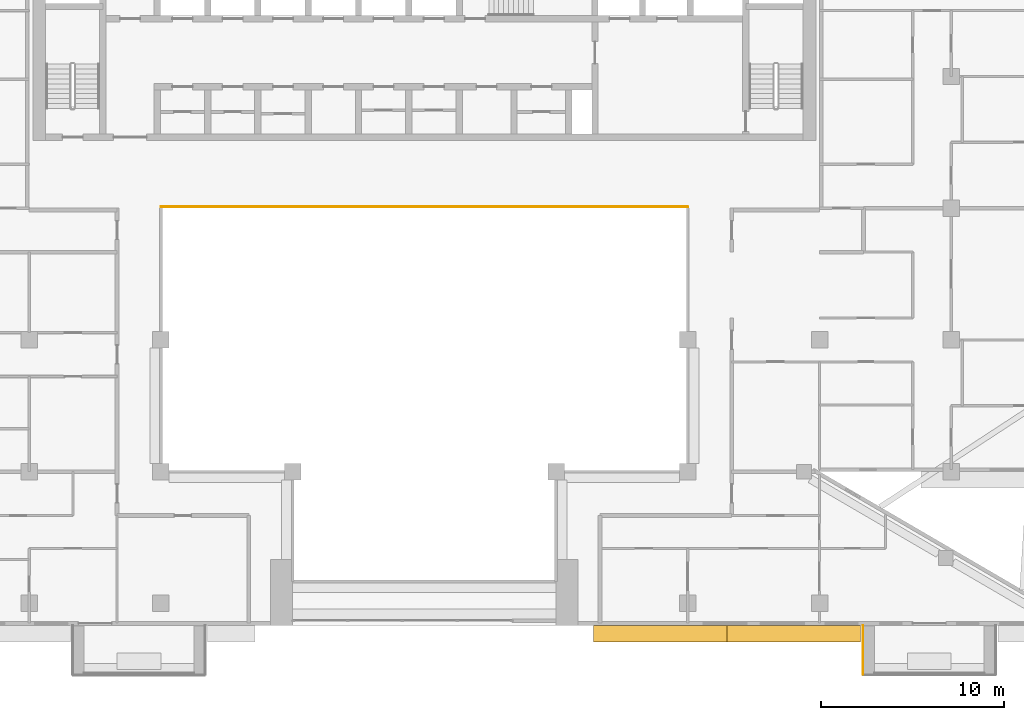
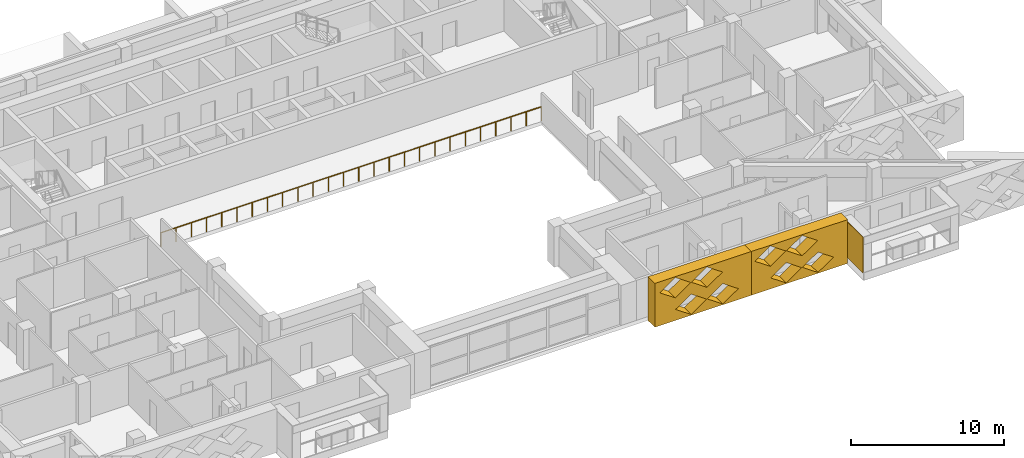
# One storey, part 16 of 20: 3 coverings, 1 railing.
"""IFC4 building model written with IfcOpenShell, lengths in metres."""

from ifc_helpers import new_model, si_unit, direction, frame, origin, origin_2d, place, context, subcontext, project, spatial, polyline, circle, outline, extrude, material, layer, layer_set, type_object, element, save


model = new_model("IFC4")

# Units and contexts
model_context = context("Model", 3, precision=1e-05, world=origin(), true_north=direction((0.0, 1.0)))
body_context = subcontext(model_context, "Body", "Model", "MODEL_VIEW")
ifc_project = project(units=[si_unit("LENGTHUNIT", "METRE"), si_unit("AREAUNIT", "SQUARE_METRE"), si_unit("VOLUMEUNIT", "CUBIC_METRE"), si_unit("PLANEANGLEUNIT", "RADIAN"), si_unit("MASSUNIT", "GRAM", prefix="KILO")], contexts=[model_context])

# Site, building, storey
site_placement = place(None, origin())
site = spatial("IfcSite", under=ifc_project, at=site_placement, CompositionType="ELEMENT")
building_placement = place(site_placement, origin())
building = spatial("IfcBuilding", under=site, at=building_placement, Name="Saffron Iwan Residences", CompositionType="ELEMENT")
storey_placement = place(building_placement, frame((0.0, 0.0, 195.5)))
storey = spatial("IfcBuildingStorey", under=building, at=storey_placement, Name="L52", CompositionType="ELEMENT", Elevation=195.5)

# Railing
ifc_material_1 = material(Name="Stainless steel 316", Category="steel")
railing_type = type_object("IfcRailingType", Name="Atrium guard 1150", PredefinedType="GUARDRAIL", material=ifc_material_1)
railing_placement = place(storey_placement, frame((36.0, 62.47509765625, 0.0)))
element("IfcRailing", 1, at=railing_placement, inside=storey, type_object=railing_type, Name="Atrium guard L52", PredefinedType="GUARDRAIL", context=body_context, shape_type="SweptSolid", body=[
    extrude(circle(Radius=0.02392578125, at=origin_2d()), frame((0.0, 0.0, 1.1259765625), z_axis=(1.0, 0.0, 0.0), x_axis=(0.0, 1.0, 0.0)), (0.0, 0.0, 1.0), 28.800048828125),
    extrude(circle(Radius=0.02099609375, at=origin_2d()), origin(), (0.0, 0.0, 1.0), 1.101806640625),
    extrude(circle(Radius=0.02099609375, at=origin_2d()), frame((1.152099609375, 0.0, 0.0)), (0.0, 0.0, 1.0), 1.101806640625),
    extrude(circle(Radius=0.02099609375, at=origin_2d()), frame((2.303955078125, 0.0, 0.0)), (0.0, 0.0, 1.0), 1.101806640625),
    extrude(circle(Radius=0.02099609375, at=origin_2d()), frame((3.4560546875, 0.0, 0.0)), (0.0, 0.0, 1.0), 1.101806640625),
    extrude(circle(Radius=0.02099609375, at=origin_2d()), frame((4.60791015625, 0.0, 0.0)), (0.0, 0.0, 1.0), 1.101806640625),
    extrude(circle(Radius=0.02099609375, at=origin_2d()), frame((5.760009765625, 0.0, 0.0)), (0.0, 0.0, 1.0), 1.101806640625),
    extrude(circle(Radius=0.02099609375, at=origin_2d()), frame((6.912109375, 0.0, 0.0)), (0.0, 0.0, 1.0), 1.101806640625),
    extrude(circle(Radius=0.02099609375, at=origin_2d()), frame((8.06396484375, 0.0, 0.0)), (0.0, 0.0, 1.0), 1.101806640625),
    extrude(circle(Radius=0.02099609375, at=origin_2d()), frame((9.216064453125, 0.0, 0.0)), (0.0, 0.0, 1.0), 1.101806640625),
    extrude(circle(Radius=0.02099609375, at=origin_2d()), frame((10.367919921875, 0.0, 0.0)), (0.0, 0.0, 1.0), 1.101806640625),
    extrude(circle(Radius=0.02099609375, at=origin_2d()), frame((11.52001953125, 0.0, 0.0)), (0.0, 0.0, 1.0), 1.101806640625),
    extrude(circle(Radius=0.02099609375, at=origin_2d()), frame((12.672119140625, 0.0, 0.0)), (0.0, 0.0, 1.0), 1.101806640625),
    extrude(circle(Radius=0.02099609375, at=origin_2d()), frame((13.823974609375, 0.0, 0.0)), (0.0, 0.0, 1.0), 1.101806640625),
    extrude(circle(Radius=0.02099609375, at=origin_2d()), frame((14.97607421875, 0.0, 0.0)), (0.0, 0.0, 1.0), 1.101806640625),
    extrude(circle(Radius=0.02099609375, at=origin_2d()), frame((16.1279296875, 0.0, 0.0)), (0.0, 0.0, 1.0), 1.101806640625),
    extrude(circle(Radius=0.02099609375, at=origin_2d()), frame((17.280029296875, 0.0, 0.0)), (0.0, 0.0, 1.0), 1.101806640625),
    extrude(circle(Radius=0.02099609375, at=origin_2d()), frame((18.43212890625, 0.0, 0.0)), (0.0, 0.0, 1.0), 1.101806640625),
    extrude(circle(Radius=0.02099609375, at=origin_2d()), frame((19.583984375, 0.0, 0.0)), (0.0, 0.0, 1.0), 1.101806640625),
    extrude(circle(Radius=0.02099609375, at=origin_2d()), frame((20.736083984375, 0.0, 0.0)), (0.0, 0.0, 1.0), 1.101806640625),
    extrude(circle(Radius=0.02099609375, at=origin_2d()), frame((21.887939453125, 0.0, 0.0)), (0.0, 0.0, 1.0), 1.101806640625),
    extrude(circle(Radius=0.02099609375, at=origin_2d()), frame((23.0400390625, 0.0, 0.0)), (0.0, 0.0, 1.0), 1.101806640625),
    extrude(circle(Radius=0.02099609375, at=origin_2d()), frame((24.192138671875, 0.0, 0.0)), (0.0, 0.0, 1.0), 1.101806640625),
    extrude(circle(Radius=0.02099609375, at=origin_2d()), frame((25.343994140625, 0.0, 0.0)), (0.0, 0.0, 1.0), 1.101806640625),
    extrude(circle(Radius=0.02099609375, at=origin_2d()), frame((26.49609375, 0.0, 0.0)), (0.0, 0.0, 1.0), 1.101806640625),
    extrude(circle(Radius=0.02099609375, at=origin_2d()), frame((27.64794921875, 0.0, 0.0)), (0.0, 0.0, 1.0), 1.101806640625),
    extrude(circle(Radius=0.02099609375, at=origin_2d()), frame((28.800048828125, 0.0, 0.0)), (0.0, 0.0, 1.0), 1.101806640625),
])

# Coverings
ifc_material_2 = material(Name="Precast concrete C40/50 white painted", Category="concrete")
ifc_layer = layer(ifc_material_2, 0.050048828125)
ifc_layer_set = layer_set([ifc_layer], Name="Precast concrete C40/50 white painted")
covering_type_1 = type_object("IfcCoveringType", Name="FRAME SKIN PRECAST WHITE 50", PredefinedType="CLADDING", material=ifc_layer_set)
covering_1_placement = place(storey_placement, origin())
element("IfcCovering", 2, at=covering_1_placement, inside=storey, type_object=covering_type_1, Name="Frame skin fin L52 11-2a", PredefinedType="CLADDING", context=body_context, shape_type="SweptSolid", body=[
    extrude(outline(polyline([(74.35009765625, 36.89990234375), (74.39990234375, 36.89990234375), (74.39990234375, 39.60009765625), (74.35009765625, 39.60009765625), (74.35009765625, 36.89990234375)])), origin(), (0.0, 0.0, 1.0), 2.85009765625),
])
ifc_material_3 = material(Name="Precast concrete C40/50", Category="concrete")
covering_type_2 = type_object("IfcCoveringType", Name="OUTER SKIN LATTICE SCREEN", PredefinedType="CLADDING", material=ifc_material_3)
covering_2_placement = place(storey_placement, frame((59.64990234375, 39.60009765625, -0.300048828125), z_axis=(0.0, -1.0, 0.0), x_axis=(1.0, 0.0, 0.0)))
element("IfcCovering", 3, at=covering_2_placement, inside=storey, type_object=covering_type_2, Name="OUTER SKIN lattice screen L52 F11.2", PredefinedType="CLADDING", context=body_context, shape_type="SweptSolid", body=[
    extrude(outline(polyline([(0.0, 0.0), (7.300048828125, 0.0), (7.300048828125, 3.5), (0.0, 3.5), (0.0, 0.0)]), holes=[polyline([(1.570068359375, 0.875), (2.75, 0.06005859375), (3.929931640625, 0.875), (2.75, 1.68994140625), (1.570068359375, 0.875)]), polyline([(3.969970703125, 0.875), (5.14990234375, 0.06005859375), (6.330078125, 0.875), (5.14990234375, 1.68994140625), (3.969970703125, 0.875)]), polyline([(0.3701171875, 2.625), (1.550048828125, 1.81005859375), (2.72998046875, 2.625), (1.550048828125, 3.43994140625), (0.3701171875, 2.625)]), polyline([(2.77001953125, 2.625), (3.949951171875, 1.81005859375), (5.1298828125, 2.625), (3.949951171875, 3.43994140625), (2.77001953125, 2.625)])]), origin(), (0.0, 0.0, 1.0), 0.900146484375),
])
covering_3_placement = place(storey_placement, frame((66.949951171875, 39.60009765625, -0.300048828125), z_axis=(0.0, -1.0, 0.0), x_axis=(1.0, 0.0, 0.0)))
element("IfcCovering", 4, at=covering_3_placement, inside=storey, type_object=covering_type_2, Name="OUTER SKIN lattice screen L52 F11.3", PredefinedType="CLADDING", context=body_context, shape_type="SweptSolid", body=[
    extrude(outline(polyline([(0.0, 0.0), (7.300048828125, 0.0), (7.300048828125, 3.5), (0.0, 3.5), (0.0, 0.0)]), holes=[polyline([(1.469970703125, 0.875), (2.64990234375, 0.06005859375), (3.830078125, 0.875), (2.64990234375, 1.68994140625), (1.469970703125, 0.875)]), polyline([(3.8701171875, 0.875), (5.050048828125, 0.06005859375), (6.22998046875, 0.875), (5.050048828125, 1.68994140625), (3.8701171875, 0.875)]), polyline([(0.27001953125, 2.625), (1.449951171875, 1.81005859375), (2.6298828125, 2.625), (1.449951171875, 3.43994140625), (0.27001953125, 2.625)]), polyline([(2.669921875, 2.625), (3.85009765625, 1.81005859375), (5.030029296875, 2.625), (3.85009765625, 3.43994140625), (2.669921875, 2.625)])]), origin(), (0.0, 0.0, 1.0), 0.900146484375),
])

save(model, "model.ifc")
